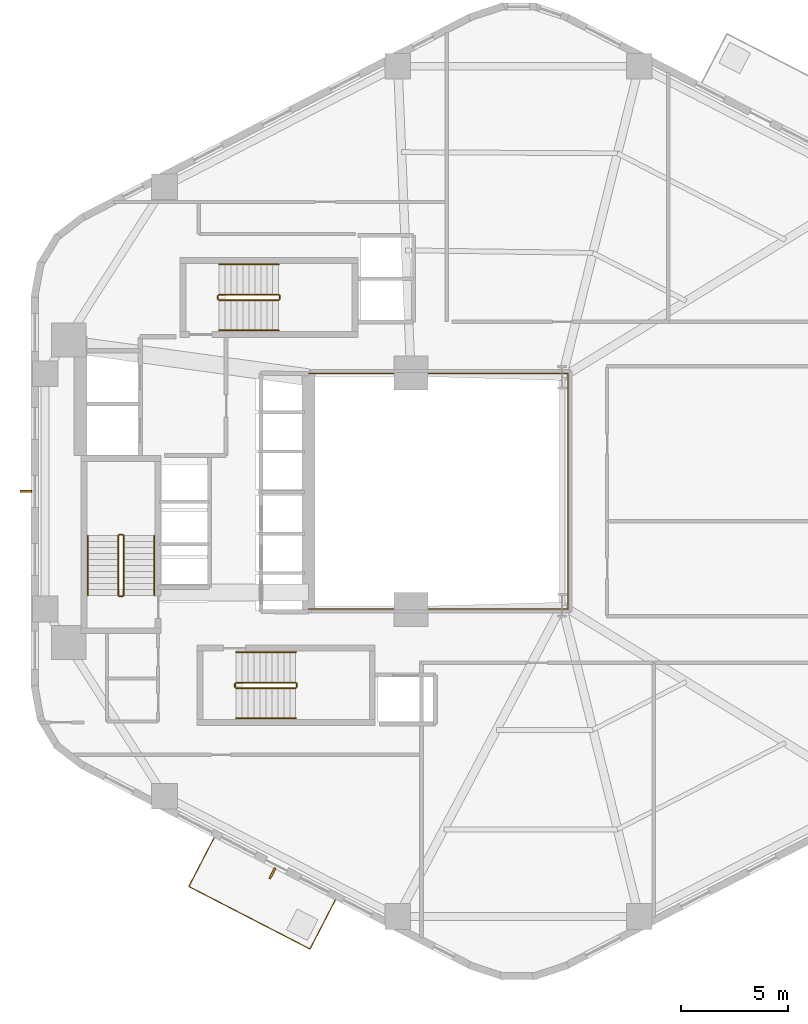
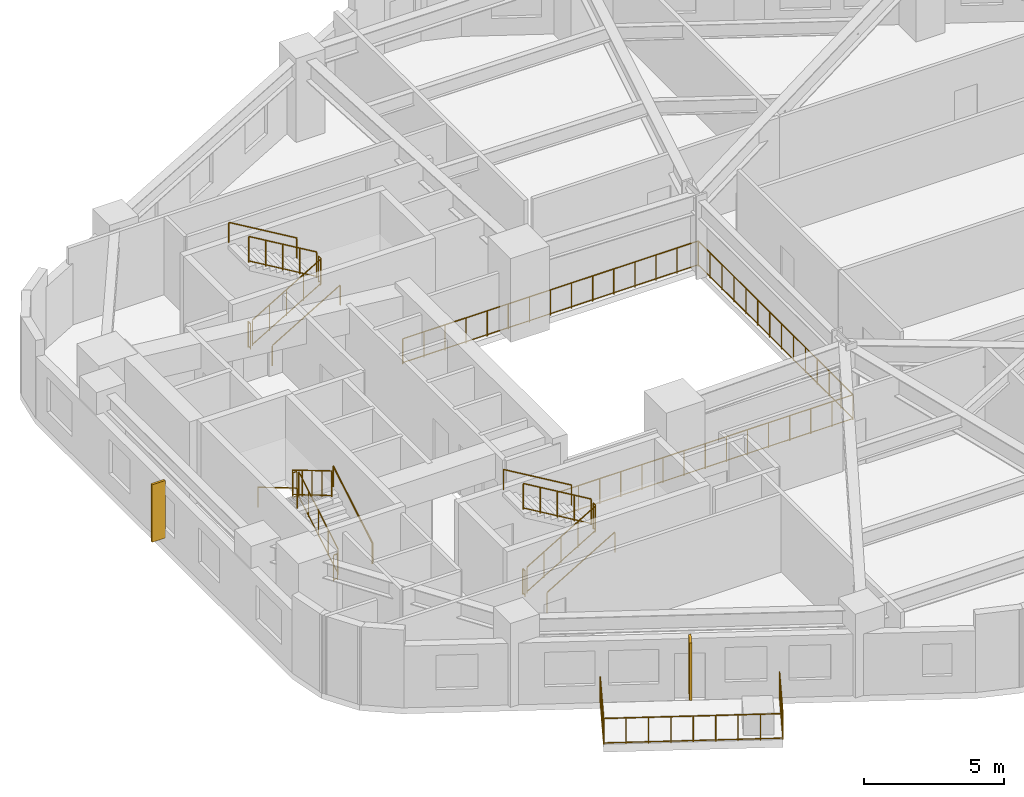
# One storey, part 6 of 7: 20 railings, 2 shading devices.
"""IFC4 building model written with IfcOpenShell, lengths in metres."""

from ifc_helpers import new_model, si_unit, direction, frame, origin, origin_2d, place, context, subcontext, project, spatial, rectangle, circle, extrude, material, type_object, element, save


model = new_model("IFC4")

# Units and contexts
model_context = context("Model", 3, precision=1e-05, world=origin(), true_north=direction((0.0, 1.0)))
body_context = subcontext(model_context, "Body", "Model", "MODEL_VIEW")
ifc_project = project(units=[si_unit("LENGTHUNIT", "METRE"), si_unit("AREAUNIT", "SQUARE_METRE"), si_unit("VOLUMEUNIT", "CUBIC_METRE"), si_unit("PLANEANGLEUNIT", "RADIAN"), si_unit("MASSUNIT", "GRAM", prefix="KILO"), si_unit("THERMODYNAMICTEMPERATUREUNIT", "KELVIN"), si_unit("POWERUNIT", "WATT")], contexts=[model_context])

# Site, building, storey
site_placement = place(None, origin())
site = spatial("IfcSite", under=ifc_project, at=site_placement, CompositionType="ELEMENT")
building_placement = place(site_placement, origin())
building = spatial("IfcBuilding", under=site, at=building_placement, Name="Skarre Station Tower", CompositionType="ELEMENT")
storey_placement = place(building_placement, frame((0.0, 0.0, 37.949951171875)))
storey = spatial("IfcBuildingStorey", under=building, at=storey_placement, Name="L09", CompositionType="ELEMENT", Elevation=37.949951171875)

# Railings
ifc_material_1 = material(Name="Bronze Anodized Steel & Laminated Glass Balustrade", Category="steel")
railing_type_1 = type_object("IfcRailingType", Name="Atrium Void & Mezzanine Guard Balustrade 1120", PredefinedType="GUARDRAIL", material=ifc_material_1)
railing_1_placement = place(storey_placement, frame((27.550048828125, 18.47998046875, 0.0)))
element("IfcRailing", 1, at=railing_1_placement, inside=storey, type_object=railing_type_1, Name="L09 Atrium Void Guard Balustrade", PredefinedType="GUARDRAIL", context=body_context, shape_type="SweptSolid", body=[
    extrude(circle(Radius=0.02392578125, at=origin_2d()), frame((0.0, 0.0, 1.09619140625), z_axis=(1.0, 0.0, 0.0), x_axis=(0.0, 1.0, 0.0)), (0.0, 0.0, 1.0), 12.169921875),
    extrude(circle(Radius=0.02099609375, at=origin_2d()), frame((0.0, 0.0, 0.06005859375), z_axis=(1.0, 0.0, 0.0), x_axis=(0.0, 1.0, 0.0)), (0.0, 0.0, 1.0), 12.169921875),
    extrude(circle(Radius=0.02392578125, at=origin_2d()), frame((12.169921875, 0.0, 1.09619140625), z_axis=(0.0, 1.0, 0.0), x_axis=(-1.0, 0.0, 0.0)), (0.0, 0.0, 1.0), 11.0400390625),
    extrude(circle(Radius=0.02099609375, at=origin_2d()), frame((12.169921875, 0.0, 0.06005859375), z_axis=(0.0, 1.0, 0.0), x_axis=(-1.0, 0.0, 0.0)), (0.0, 0.0, 1.0), 11.0400390625),
    extrude(circle(Radius=0.02392578125, at=origin_2d()), frame((12.169921875, 11.0400390625, 1.09619140625), z_axis=(-1.0, 0.0, 0.0), x_axis=(0.0, -1.0, 0.0)), (0.0, 0.0, 1.0), 12.169921875),
    extrude(circle(Radius=0.02099609375, at=origin_2d()), frame((12.169921875, 11.0400390625, 0.06005859375), z_axis=(-1.0, 0.0, 0.0), x_axis=(0.0, -1.0, 0.0)), (0.0, 0.0, 1.0), 12.169921875),
    extrude(circle(Radius=0.02099609375, at=origin_2d()), origin(), (0.0, 0.0, 1.0), 1.072021484375),
    extrude(circle(Radius=0.02099609375, at=origin_2d()), frame((0.869384765625, 0.0, 0.0)), (0.0, 0.0, 1.0), 1.072021484375),
    extrude(circle(Radius=0.02099609375, at=origin_2d()), frame((1.738525390625, 0.0, 0.0)), (0.0, 0.0, 1.0), 1.072021484375),
    extrude(circle(Radius=0.02099609375, at=origin_2d()), frame((2.60791015625, 0.0, 0.0)), (0.0, 0.0, 1.0), 1.072021484375),
    extrude(circle(Radius=0.02099609375, at=origin_2d()), frame((3.47705078125, 0.0, 0.0)), (0.0, 0.0, 1.0), 1.072021484375),
    extrude(circle(Radius=0.02099609375, at=origin_2d()), frame((4.346435546875, 0.0, 0.0)), (0.0, 0.0, 1.0), 1.072021484375),
    extrude(circle(Radius=0.02099609375, at=origin_2d()), frame((5.215576171875, 0.0, 0.0)), (0.0, 0.0, 1.0), 1.072021484375),
    extrude(circle(Radius=0.02099609375, at=origin_2d()), frame((6.0849609375, 0.0, 0.0)), (0.0, 0.0, 1.0), 1.072021484375),
    extrude(circle(Radius=0.02099609375, at=origin_2d()), frame((6.954345703125, 0.0, 0.0)), (0.0, 0.0, 1.0), 1.072021484375),
    extrude(circle(Radius=0.02099609375, at=origin_2d()), frame((7.823486328125, 0.0, 0.0)), (0.0, 0.0, 1.0), 1.072021484375),
    extrude(circle(Radius=0.02099609375, at=origin_2d()), frame((8.69287109375, 0.0, 0.0)), (0.0, 0.0, 1.0), 1.072021484375),
    extrude(circle(Radius=0.02099609375, at=origin_2d()), frame((9.56201171875, 0.0, 0.0)), (0.0, 0.0, 1.0), 1.072021484375),
    extrude(circle(Radius=0.02099609375, at=origin_2d()), frame((10.431396484375, 0.0, 0.0)), (0.0, 0.0, 1.0), 1.072021484375),
    extrude(circle(Radius=0.02099609375, at=origin_2d()), frame((11.300537109375, 0.0, 0.0)), (0.0, 0.0, 1.0), 1.072021484375),
    extrude(circle(Radius=0.02099609375, at=origin_2d()), frame((12.169921875, 0.0, 0.0)), (0.0, 0.0, 1.0), 1.072021484375),
    extrude(circle(Radius=0.02099609375, at=origin_2d()), frame((12.169921875, 0.84912109375, 0.0)), (0.0, 0.0, 1.0), 1.072021484375),
    extrude(circle(Radius=0.02099609375, at=origin_2d()), frame((12.169921875, 1.698486328125, 0.0)), (0.0, 0.0, 1.0), 1.072021484375),
    extrude(circle(Radius=0.02099609375, at=origin_2d()), frame((12.169921875, 2.547607421875, 0.0)), (0.0, 0.0, 1.0), 1.072021484375),
    extrude(circle(Radius=0.02099609375, at=origin_2d()), frame((12.169921875, 3.39697265625, 0.0)), (0.0, 0.0, 1.0), 1.072021484375),
    extrude(circle(Radius=0.02099609375, at=origin_2d()), frame((12.169921875, 4.24609375, 0.0)), (0.0, 0.0, 1.0), 1.072021484375),
    extrude(circle(Radius=0.02099609375, at=origin_2d()), frame((12.169921875, 5.095458984375, 0.0)), (0.0, 0.0, 1.0), 1.072021484375),
    extrude(circle(Radius=0.02099609375, at=origin_2d()), frame((12.169921875, 5.944580078125, 0.0)), (0.0, 0.0, 1.0), 1.072021484375),
    extrude(circle(Radius=0.02099609375, at=origin_2d()), frame((12.169921875, 6.7939453125, 0.0)), (0.0, 0.0, 1.0), 1.072021484375),
    extrude(circle(Radius=0.02099609375, at=origin_2d()), frame((12.169921875, 7.64306640625, 0.0)), (0.0, 0.0, 1.0), 1.072021484375),
    extrude(circle(Radius=0.02099609375, at=origin_2d()), frame((12.169921875, 8.492431640625, 0.0)), (0.0, 0.0, 1.0), 1.072021484375),
    extrude(circle(Radius=0.02099609375, at=origin_2d()), frame((12.169921875, 9.341552734375, 0.0)), (0.0, 0.0, 1.0), 1.072021484375),
    extrude(circle(Radius=0.02099609375, at=origin_2d()), frame((12.169921875, 10.19091796875, 0.0)), (0.0, 0.0, 1.0), 1.072021484375),
    extrude(circle(Radius=0.02099609375, at=origin_2d()), frame((12.169921875, 11.0400390625, 0.0)), (0.0, 0.0, 1.0), 1.072021484375),
    extrude(circle(Radius=0.02099609375, at=origin_2d()), frame((11.300537109375, 11.0400390625, 0.0)), (0.0, 0.0, 1.0), 1.072021484375),
    extrude(circle(Radius=0.02099609375, at=origin_2d()), frame((10.431396484375, 11.0400390625, 0.0)), (0.0, 0.0, 1.0), 1.072021484375),
    extrude(circle(Radius=0.02099609375, at=origin_2d()), frame((9.56201171875, 11.0400390625, 0.0)), (0.0, 0.0, 1.0), 1.072021484375),
    extrude(circle(Radius=0.02099609375, at=origin_2d()), frame((8.69287109375, 11.0400390625, 0.0)), (0.0, 0.0, 1.0), 1.072021484375),
    extrude(circle(Radius=0.02099609375, at=origin_2d()), frame((7.823486328125, 11.0400390625, 0.0)), (0.0, 0.0, 1.0), 1.072021484375),
    extrude(circle(Radius=0.02099609375, at=origin_2d()), frame((6.954345703125, 11.0400390625, 0.0)), (0.0, 0.0, 1.0), 1.072021484375),
    extrude(circle(Radius=0.02099609375, at=origin_2d()), frame((6.0849609375, 11.0400390625, 0.0)), (0.0, 0.0, 1.0), 1.072021484375),
    extrude(circle(Radius=0.02099609375, at=origin_2d()), frame((5.215576171875, 11.0400390625, 0.0)), (0.0, 0.0, 1.0), 1.072021484375),
    extrude(circle(Radius=0.02099609375, at=origin_2d()), frame((4.346435546875, 11.0400390625, 0.0)), (0.0, 0.0, 1.0), 1.072021484375),
    extrude(circle(Radius=0.02099609375, at=origin_2d()), frame((3.47705078125, 11.0400390625, 0.0)), (0.0, 0.0, 1.0), 1.072021484375),
    extrude(circle(Radius=0.02099609375, at=origin_2d()), frame((2.60791015625, 11.0400390625, 0.0)), (0.0, 0.0, 1.0), 1.072021484375),
    extrude(circle(Radius=0.02099609375, at=origin_2d()), frame((1.738525390625, 11.0400390625, 0.0)), (0.0, 0.0, 1.0), 1.072021484375),
    extrude(circle(Radius=0.02099609375, at=origin_2d()), frame((0.869384765625, 11.0400390625, 0.0)), (0.0, 0.0, 1.0), 1.072021484375),
    extrude(circle(Radius=0.02099609375, at=origin_2d()), frame((0.0, 11.0400390625, 0.0)), (0.0, 0.0, 1.0), 1.072021484375),
])
ifc_material_2 = material(Name="Stainless Steel Grade 316L & Laminated Safety Glass", Category="steel")
railing_type_2 = type_object("IfcRailingType", Name="Laminated Glass & Stainless Terrace Guardrail 1150", PredefinedType="BALUSTRADE", material=ifc_material_2)
railing_2_placement = place(storey_placement, frame((23.1201171875, 7.759033203125, 0.0)))
element("IfcRailing", 2, at=railing_2_placement, inside=storey, type_object=railing_type_2, Name="L09 TB-L09-F3 Tree-Balcony Guardrail", PredefinedType="BALUSTRADE", context=body_context, shape_type="SweptSolid", body=[
    extrude(circle(Radius=0.02392578125, at=origin_2d()), frame((0.0, 0.0, 1.1259765625), z_axis=(-0.458674126871, -0.88860454947, 0.0), x_axis=(0.88860454947, -0.458674126871, 0.0)), (0.0, 0.0, 1.0), 2.590576171875),
    extrude(circle(Radius=0.02099609375, at=origin_2d()), frame((0.0, 0.0, 0.06005859375), z_axis=(-0.458674126871, -0.88860454947, 0.0), x_axis=(0.88860454947, -0.458674126871, 0.0)), (0.0, 0.0, 1.0), 2.590576171875),
    extrude(circle(Radius=0.02392578125, at=origin_2d()), frame((-1.188232421875, -2.302001953125, 1.1259765625), z_axis=(0.888671800122, -0.458543816519, 0.0), x_axis=(0.458543816519, 0.888671800122, 0.0)), (0.0, 0.0, 1.0), 6.40087890625),
    extrude(circle(Radius=0.02099609375, at=origin_2d()), frame((-1.188232421875, -2.302001953125, 0.06005859375), z_axis=(0.888671800122, -0.458543816519, 0.0), x_axis=(0.458543816519, 0.888671800122, 0.0)), (0.0, 0.0, 1.0), 6.40087890625),
    extrude(circle(Radius=0.02392578125, at=origin_2d()), frame((4.5, -5.237060546875, 1.1259765625), z_axis=(0.458599707136, 0.888642959019, 0.0), x_axis=(-0.888642959019, 0.458599707136, 0.0)), (0.0, 0.0, 1.0), 2.590576171875),
    extrude(circle(Radius=0.02099609375, at=origin_2d()), frame((4.5, -5.237060546875, 0.06005859375), z_axis=(0.458599707136, 0.888642959019, 0.0), x_axis=(-0.888642959019, 0.458599707136, 0.0)), (0.0, 0.0, 1.0), 2.590576171875),
    extrude(circle(Radius=0.02099609375, at=origin_2d()), origin(), (0.0, 0.0, 1.0), 1.101806640625),
    extrude(circle(Radius=0.02099609375, at=origin_2d()), frame((-0.39599609375, -0.767333984375, 0.0)), (0.0, 0.0, 1.0), 1.101806640625),
    extrude(circle(Radius=0.02099609375, at=origin_2d()), frame((-0.792236328125, -1.53466796875, 0.0)), (0.0, 0.0, 1.0), 1.101806640625),
    extrude(circle(Radius=0.02099609375, at=origin_2d()), frame((-1.188232421875, -2.302001953125, 0.0)), (0.0, 0.0, 1.0), 1.101806640625),
    extrude(circle(Radius=0.02099609375, at=origin_2d()), frame((-0.477294921875, -2.6689453125, 0.0)), (0.0, 0.0, 1.0), 1.101806640625),
    extrude(circle(Radius=0.02099609375, at=origin_2d()), frame((0.23388671875, -3.03564453125, 0.0)), (0.0, 0.0, 1.0), 1.101806640625),
    extrude(circle(Radius=0.02099609375, at=origin_2d()), frame((0.94482421875, -3.402587890625, 0.0)), (0.0, 0.0, 1.0), 1.101806640625),
    extrude(circle(Radius=0.02099609375, at=origin_2d()), frame((1.65576171875, -3.76953125, 0.0)), (0.0, 0.0, 1.0), 1.101806640625),
    extrude(circle(Radius=0.02099609375, at=origin_2d()), frame((2.366943359375, -4.136474609375, 0.0)), (0.0, 0.0, 1.0), 1.101806640625),
    extrude(circle(Radius=0.02099609375, at=origin_2d()), frame((3.077880859375, -4.50341796875, 0.0)), (0.0, 0.0, 1.0), 1.101806640625),
    extrude(circle(Radius=0.02099609375, at=origin_2d()), frame((3.7890625, -4.8701171875, 0.0)), (0.0, 0.0, 1.0), 1.101806640625),
    extrude(circle(Radius=0.02099609375, at=origin_2d()), frame((4.5, -5.237060546875, 0.0)), (0.0, 0.0, 1.0), 1.101806640625),
    extrude(circle(Radius=0.02099609375, at=origin_2d()), frame((4.89599609375, -4.4697265625, 0.0)), (0.0, 0.0, 1.0), 1.101806640625),
    extrude(circle(Radius=0.02099609375, at=origin_2d()), frame((5.2919921875, -3.702392578125, 0.0)), (0.0, 0.0, 1.0), 1.101806640625),
    extrude(circle(Radius=0.02099609375, at=origin_2d()), frame((5.68798828125, -2.93505859375, 0.0)), (0.0, 0.0, 1.0), 1.101806640625),
])

# Shading devices
ifc_material_3 = material(Name="Bronze Anodized Extruded Aluminium 6063-T6", Category="aluminium")
shading_device_type = type_object("IfcShadingDeviceType", Name="Nordic Bronze Vertical Solar Fin 550x90", PredefinedType="SHUTTER", material=ifc_material_3)
for number, where, z_axis, x_axis, name in (
    (3, (14.287109375, 24.0, 0.35009765625), (0.0, 0.0, 1.0), (-1.0, 0.0, 0.0), "L09 Facet 2 Bronze Solar Fin"),
    (4, (25.85400390625, 6.077880859375, 0.35009765625), (0.0, 0.0, 1.0), (-0.458618535612, -0.888633242003, 0.0), "L09 Facet 3 Bronze Solar Fin"),
):
    element("IfcShadingDevice", number, at=place(storey_placement, frame(where, z_axis=z_axis, x_axis=x_axis)), inside=storey, type_object=shading_device_type, Name=name, PredefinedType="SHUTTER", context=body_context, shape_type="SweptSolid", body=[
        extrude(rectangle(XDim=0.550048828125, YDim=0.090087890625, at=origin_2d()), origin(), (0.0, 0.0, 1.0), 2.5),
    ])

# Railings
ifc_material_4 = material(Name="Powder-Coated Tubular Steel", Category="steel")
railing_type_3 = type_object("IfcRailingType", Name="Painted Steel Ramp & Stair Handrail 920", PredefinedType="HANDRAIL", material=ifc_material_4)
railing_3_placement = place(storey_placement, frame((20.300048828125, 19.1201171875, 0.166015625)))
element("IfcRailing", 5, at=railing_3_placement, inside=storey, type_object=railing_type_3, Name="L09 ST-1 stair handrail 1", PredefinedType="HANDRAIL", context=body_context, shape_type="SweptSolid", body=[
    extrude(circle(Radius=0.02392578125, at=origin_2d()), frame((0.0, 0.0, 0.8759765625), z_axis=(0.0, 0.860319559791, 0.509755093197), x_axis=(-1.0, 0.0, 0.0)), (0.0, 0.0, 1.0), 3.25439453125),
    extrude(circle(Radius=0.02099609375, at=origin_2d()), origin(), (0.0, 0.0, 1.0), 0.851806640625),
    extrude(circle(Radius=0.02099609375, at=origin_2d()), frame((0.0, 2.7998046875, 1.658935546875)), (0.0, 0.0, 1.0), 0.851806640625),
])
railing_4_placement = place(storey_placement, frame((17.199951171875, 21.919921875, 1.990966796875)))
element("IfcRailing", 6, at=railing_4_placement, inside=storey, type_object=railing_type_3, Name="L09 ST-1 stair handrail 2", PredefinedType="HANDRAIL", context=body_context, shape_type="SweptSolid", body=[
    extrude(circle(Radius=0.02392578125, at=origin_2d()), frame((0.0, 0.0, 0.8759765625), z_axis=(0.0, -0.860286659441, 0.509810615413), x_axis=(1.0, 0.0, 0.0)), (0.0, 0.0, 1.0), 3.25439453125),
    extrude(circle(Radius=0.02099609375, at=origin_2d()), origin(), (0.0, 0.0, 1.0), 0.851806640625),
    extrude(circle(Radius=0.02099609375, at=origin_2d()), frame((0.0, -2.7998046875, 1.6591796875)), (0.0, 0.0, 1.0), 0.851806640625),
])
railing_5_placement = place(storey_placement, frame((24.14990234375, 13.35009765625, 0.166015625)))
element("IfcRailing", 7, at=railing_5_placement, inside=storey, type_object=railing_type_3, Name="L09 ST-2 stair handrail 1", PredefinedType="HANDRAIL", context=body_context, shape_type="SweptSolid", body=[
    extrude(circle(Radius=0.02392578125, at=origin_2d()), frame((0.0, 0.0, 0.8759765625), z_axis=(0.860339051648, 0.0, 0.50972219513), x_axis=(0.0, 1.0, 0.0)), (0.0, 0.0, 1.0), 3.254638671875),
    extrude(circle(Radius=0.02099609375, at=origin_2d()), origin(), (0.0, 0.0, 1.0), 0.851806640625),
    extrude(circle(Radius=0.02099609375, at=origin_2d()), frame((2.800048828125, 0.0, 1.658935546875)), (0.0, 0.0, 1.0), 0.851806640625),
])
railing_6_placement = place(storey_placement, frame((26.949951171875, 16.449951171875, 1.990966796875)))
element("IfcRailing", 8, at=railing_6_placement, inside=storey, type_object=railing_type_3, Name="L09 ST-2 stair handrail 2", PredefinedType="HANDRAIL", context=body_context, shape_type="SweptSolid", body=[
    extrude(circle(Radius=0.02392578125, at=origin_2d()), frame((0.0, 0.0, 0.8759765625), z_axis=(-0.860306154799, 0.0, 0.50977771628), x_axis=(0.0, -1.0, 0.0)), (0.0, 0.0, 1.0), 3.254638671875),
    extrude(circle(Radius=0.02099609375, at=origin_2d()), origin(), (0.0, 0.0, 1.0), 0.851806640625),
    extrude(circle(Radius=0.02099609375, at=origin_2d()), frame((-2.800048828125, 0.0, 1.6591796875)), (0.0, 0.0, 1.0), 0.851806640625),
])
railing_7_placement = place(storey_placement, frame((23.35009765625, 31.550048828125, 0.166015625)))
element("IfcRailing", 9, at=railing_7_placement, inside=storey, type_object=railing_type_3, Name="L09 ST-3 stair handrail 1", PredefinedType="HANDRAIL", context=body_context, shape_type="SweptSolid", body=[
    extrude(circle(Radius=0.02392578125, at=origin_2d()), frame((0.0, 0.0, 0.8759765625), z_axis=(0.860319559791, 0.0, 0.509755093197), x_axis=(0.0, 1.0, 0.0)), (0.0, 0.0, 1.0), 3.25439453125),
    extrude(circle(Radius=0.02099609375, at=origin_2d()), origin(), (0.0, 0.0, 1.0), 0.851806640625),
    extrude(circle(Radius=0.02099609375, at=origin_2d()), frame((2.7998046875, 0.0, 1.658935546875)), (0.0, 0.0, 1.0), 0.851806640625),
])
railing_8_placement = place(storey_placement, frame((26.14990234375, 34.64990234375, 1.990966796875)))
element("IfcRailing", 10, at=railing_8_placement, inside=storey, type_object=railing_type_3, Name="L09 ST-3 stair handrail 2", PredefinedType="HANDRAIL", context=body_context, shape_type="SweptSolid", body=[
    extrude(circle(Radius=0.02392578125, at=origin_2d()), frame((0.0, 0.0, 0.8759765625), z_axis=(-0.860286659441, 0.0, 0.509810615413), x_axis=(0.0, -1.0, 0.0)), (0.0, 0.0, 1.0), 3.25439453125),
    extrude(circle(Radius=0.02099609375, at=origin_2d()), origin(), (0.0, 0.0, 1.0), 0.851806640625),
    extrude(circle(Radius=0.02099609375, at=origin_2d()), frame((-2.7998046875, 0.0, 1.6591796875)), (0.0, 0.0, 1.0), 0.851806640625),
])
railing_type_4 = type_object("IfcRailingType", Name="Painted Steel Stairwell Guardrail 1100", PredefinedType="GUARDRAIL", material=ifc_material_4)
railing_9_placement = place(storey_placement, frame((18.8798828125, 19.1201171875, 0.166015625)))
element("IfcRailing", 11, at=railing_9_placement, inside=storey, type_object=railing_type_4, Name="L09 ST-1 stair guard 1", PredefinedType="GUARDRAIL", context=body_context, shape_type="SweptSolid", body=[
    extrude(circle(Radius=0.02392578125, at=origin_2d()), frame((0.0, 0.0, 1.1259765625), z_axis=(0.0, 0.860319559791, 0.509755093197), x_axis=(-1.0, 0.0, 0.0)), (0.0, 0.0, 1.0), 3.25439453125),
    extrude(circle(Radius=0.02099609375, at=origin_2d()), frame((0.0, 0.0, 0.06005859375), z_axis=(0.0, 0.860319559791, 0.509755093197), x_axis=(-1.0, 0.0, 0.0)), (0.0, 0.0, 1.0), 3.25439453125),
    extrude(circle(Radius=0.02099609375, at=origin_2d()), origin(), (0.0, 0.0, 1.0), 1.101806640625),
    extrude(circle(Radius=0.02099609375, at=origin_2d()), frame((0.0, 0.699951171875, 0.414794921875)), (0.0, 0.0, 1.0), 1.101806640625),
    extrude(circle(Radius=0.02099609375, at=origin_2d()), frame((0.0, 1.39990234375, 0.82958984375)), (0.0, 0.0, 1.0), 1.101806640625),
    extrude(circle(Radius=0.02099609375, at=origin_2d()), frame((0.0, 2.099853515625, 1.244140625)), (0.0, 0.0, 1.0), 1.101806640625),
    extrude(circle(Radius=0.02099609375, at=origin_2d()), frame((0.0, 2.7998046875, 1.658935546875)), (0.0, 0.0, 1.0), 1.101806640625),
])
railing_10_placement = place(storey_placement, frame((18.830078125, 21.969970703125, 1.824951171875)))
element("IfcRailing", 12, at=railing_10_placement, inside=storey, type_object=railing_type_4, Name="L09 ST-1 stair guard 2", PredefinedType="GUARDRAIL", context=body_context, shape_type="SweptSolid", body=[
    extrude(circle(Radius=0.02392578125, at=origin_2d()), frame((0.0, 0.0, 1.1259765625), z_axis=(-1.0, 0.0, 0.0), x_axis=(0.0, -1.0, 0.0)), (0.0, 0.0, 1.0), 0.16015625),
    extrude(circle(Radius=0.02099609375, at=origin_2d()), frame((0.0, 0.0, 0.06005859375), z_axis=(-1.0, 0.0, 0.0), x_axis=(0.0, -1.0, 0.0)), (0.0, 0.0, 1.0), 0.16015625),
    extrude(circle(Radius=0.02099609375, at=origin_2d()), origin(), (0.0, 0.0, 1.0), 1.101806640625),
    extrude(circle(Radius=0.02099609375, at=origin_2d()), frame((-0.16015625, 0.0, 0.0)), (0.0, 0.0, 1.0), 1.101806640625),
])
railing_11_placement = place(storey_placement, frame((18.6201171875, 21.919921875, 1.990966796875)))
element("IfcRailing", 13, at=railing_11_placement, inside=storey, type_object=railing_type_4, Name="L09 ST-1 stair guard 3", PredefinedType="GUARDRAIL", context=body_context, shape_type="SweptSolid", body=[
    extrude(circle(Radius=0.02392578125, at=origin_2d()), frame((0.0, 0.0, 1.1259765625), z_axis=(0.0, -0.860286659441, 0.509810615413), x_axis=(1.0, 0.0, 0.0)), (0.0, 0.0, 1.0), 3.25439453125),
    extrude(circle(Radius=0.02099609375, at=origin_2d()), frame((0.0, 0.0, 0.06005859375), z_axis=(0.0, -0.860286659441, 0.509810615413), x_axis=(1.0, 0.0, 0.0)), (0.0, 0.0, 1.0), 3.25439453125),
    extrude(circle(Radius=0.02099609375, at=origin_2d()), origin(), (0.0, 0.0, 1.0), 1.101806640625),
    extrude(circle(Radius=0.02099609375, at=origin_2d()), frame((0.0, -0.699951171875, 0.414794921875)), (0.0, 0.0, 1.0), 1.101806640625),
    extrude(circle(Radius=0.02099609375, at=origin_2d()), frame((0.0, -1.39990234375, 0.82958984375)), (0.0, 0.0, 1.0), 1.101806640625),
    extrude(circle(Radius=0.02099609375, at=origin_2d()), frame((0.0, -2.099853515625, 1.244384765625)), (0.0, 0.0, 1.0), 1.101806640625),
    extrude(circle(Radius=0.02099609375, at=origin_2d()), frame((0.0, -2.7998046875, 1.6591796875)), (0.0, 0.0, 1.0), 1.101806640625),
])
railing_12_placement = place(storey_placement, frame((18.830078125, 19.070068359375, 0.0)))
element("IfcRailing", 14, at=railing_12_placement, inside=storey, type_object=railing_type_4, Name="L09 ST-1 stair guard 4", PredefinedType="GUARDRAIL", context=body_context, shape_type="SweptSolid", body=[
    extrude(circle(Radius=0.02392578125, at=origin_2d()), frame((0.0, 0.0, 1.1259765625), z_axis=(-1.0, 0.0, 0.0), x_axis=(0.0, -1.0, 0.0)), (0.0, 0.0, 1.0), 0.16015625),
    extrude(circle(Radius=0.02099609375, at=origin_2d()), frame((0.0, 0.0, 0.06005859375), z_axis=(-1.0, 0.0, 0.0), x_axis=(0.0, -1.0, 0.0)), (0.0, 0.0, 1.0), 0.16015625),
    extrude(circle(Radius=0.02099609375, at=origin_2d()), origin(), (0.0, 0.0, 1.0), 1.101806640625),
    extrude(circle(Radius=0.02099609375, at=origin_2d()), frame((-0.16015625, 0.0, 0.0)), (0.0, 0.0, 1.0), 1.101806640625),
])
railing_13_placement = place(storey_placement, frame((24.14990234375, 14.77001953125, 0.166015625)))
element("IfcRailing", 15, at=railing_13_placement, inside=storey, type_object=railing_type_4, Name="L09 ST-2 stair guard 1", PredefinedType="GUARDRAIL", context=body_context, shape_type="SweptSolid", body=[
    extrude(circle(Radius=0.02392578125, at=origin_2d()), frame((0.0, 0.0, 1.1259765625), z_axis=(0.860339051648, 0.0, 0.50972219513), x_axis=(0.0, 1.0, 0.0)), (0.0, 0.0, 1.0), 3.254638671875),
    extrude(circle(Radius=0.02099609375, at=origin_2d()), frame((0.0, 0.0, 0.06005859375), z_axis=(0.860339051648, 0.0, 0.50972219513), x_axis=(0.0, 1.0, 0.0)), (0.0, 0.0, 1.0), 3.254638671875),
    extrude(circle(Radius=0.02099609375, at=origin_2d()), origin(), (0.0, 0.0, 1.0), 1.101806640625),
    extrude(circle(Radius=0.02099609375, at=origin_2d()), frame((0.699951171875, 0.0, 0.414794921875)), (0.0, 0.0, 1.0), 1.101806640625),
    extrude(circle(Radius=0.02099609375, at=origin_2d()), frame((1.39990234375, 0.0, 0.82958984375)), (0.0, 0.0, 1.0), 1.101806640625),
    extrude(circle(Radius=0.02099609375, at=origin_2d()), frame((2.10009765625, 0.0, 1.244140625)), (0.0, 0.0, 1.0), 1.101806640625),
    extrude(circle(Radius=0.02099609375, at=origin_2d()), frame((2.800048828125, 0.0, 1.658935546875)), (0.0, 0.0, 1.0), 1.101806640625),
])
railing_14_placement = place(storey_placement, frame((27.0, 14.820068359375, 1.824951171875)))
element("IfcRailing", 16, at=railing_14_placement, inside=storey, type_object=railing_type_4, Name="L09 ST-2 stair guard 2", PredefinedType="GUARDRAIL", context=body_context, shape_type="SweptSolid", body=[
    extrude(circle(Radius=0.02392578125, at=origin_2d()), frame((0.0, 0.0, 1.1259765625), z_axis=(0.0, 1.0, 0.0), x_axis=(-1.0, 0.0, 0.0)), (0.0, 0.0, 1.0), 0.159912109375),
    extrude(circle(Radius=0.02099609375, at=origin_2d()), frame((0.0, 0.0, 0.06005859375), z_axis=(0.0, 1.0, 0.0), x_axis=(-1.0, 0.0, 0.0)), (0.0, 0.0, 1.0), 0.159912109375),
    extrude(circle(Radius=0.02099609375, at=origin_2d()), origin(), (0.0, 0.0, 1.0), 1.101806640625),
    extrude(circle(Radius=0.02099609375, at=origin_2d()), frame((0.0, 0.159912109375, 0.0)), (0.0, 0.0, 1.0), 1.101806640625),
])
railing_15_placement = place(storey_placement, frame((26.949951171875, 15.030029296875, 1.990966796875)))
element("IfcRailing", 17, at=railing_15_placement, inside=storey, type_object=railing_type_4, Name="L09 ST-2 stair guard 3", PredefinedType="GUARDRAIL", context=body_context, shape_type="SweptSolid", body=[
    extrude(circle(Radius=0.02392578125, at=origin_2d()), frame((0.0, 0.0, 1.1259765625), z_axis=(-0.860306154799, 0.0, 0.50977771628), x_axis=(0.0, -1.0, 0.0)), (0.0, 0.0, 1.0), 3.254638671875),
    extrude(circle(Radius=0.02099609375, at=origin_2d()), frame((0.0, 0.0, 0.06005859375), z_axis=(-0.860306154799, 0.0, 0.50977771628), x_axis=(0.0, -1.0, 0.0)), (0.0, 0.0, 1.0), 3.254638671875),
    extrude(circle(Radius=0.02099609375, at=origin_2d()), origin(), (0.0, 0.0, 1.0), 1.101806640625),
    extrude(circle(Radius=0.02099609375, at=origin_2d()), frame((-0.699951171875, 0.0, 0.414794921875)), (0.0, 0.0, 1.0), 1.101806640625),
    extrude(circle(Radius=0.02099609375, at=origin_2d()), frame((-1.39990234375, 0.0, 0.82958984375)), (0.0, 0.0, 1.0), 1.101806640625),
    extrude(circle(Radius=0.02099609375, at=origin_2d()), frame((-2.10009765625, 0.0, 1.244384765625)), (0.0, 0.0, 1.0), 1.101806640625),
    extrude(circle(Radius=0.02099609375, at=origin_2d()), frame((-2.800048828125, 0.0, 1.6591796875)), (0.0, 0.0, 1.0), 1.101806640625),
])
railing_16_placement = place(storey_placement, frame((24.10009765625, 14.820068359375, 0.0)))
element("IfcRailing", 18, at=railing_16_placement, inside=storey, type_object=railing_type_4, Name="L09 ST-2 stair guard 4", PredefinedType="GUARDRAIL", context=body_context, shape_type="SweptSolid", body=[
    extrude(circle(Radius=0.02392578125, at=origin_2d()), frame((0.0, 0.0, 1.1259765625), z_axis=(0.0, 1.0, 0.0), x_axis=(-1.0, 0.0, 0.0)), (0.0, 0.0, 1.0), 0.159912109375),
    extrude(circle(Radius=0.02099609375, at=origin_2d()), frame((0.0, 0.0, 0.06005859375), z_axis=(0.0, 1.0, 0.0), x_axis=(-1.0, 0.0, 0.0)), (0.0, 0.0, 1.0), 0.159912109375),
    extrude(circle(Radius=0.02099609375, at=origin_2d()), origin(), (0.0, 0.0, 1.0), 1.101806640625),
    extrude(circle(Radius=0.02099609375, at=origin_2d()), frame((0.0, 0.159912109375, 0.0)), (0.0, 0.0, 1.0), 1.101806640625),
])
railing_17_placement = place(storey_placement, frame((23.35009765625, 32.969970703125, 0.166015625)))
element("IfcRailing", 19, at=railing_17_placement, inside=storey, type_object=railing_type_4, Name="L09 ST-3 stair guard 1", PredefinedType="GUARDRAIL", context=body_context, shape_type="SweptSolid", body=[
    extrude(circle(Radius=0.02392578125, at=origin_2d()), frame((0.0, 0.0, 1.1259765625), z_axis=(0.860319559791, 0.0, 0.509755093197), x_axis=(0.0, 1.0, 0.0)), (0.0, 0.0, 1.0), 3.25439453125),
    extrude(circle(Radius=0.02099609375, at=origin_2d()), frame((0.0, 0.0, 0.06005859375), z_axis=(0.860319559791, 0.0, 0.509755093197), x_axis=(0.0, 1.0, 0.0)), (0.0, 0.0, 1.0), 3.25439453125),
    extrude(circle(Radius=0.02099609375, at=origin_2d()), origin(), (0.0, 0.0, 1.0), 1.101806640625),
    extrude(circle(Radius=0.02099609375, at=origin_2d()), frame((0.699951171875, 0.0, 0.414794921875)), (0.0, 0.0, 1.0), 1.101806640625),
    extrude(circle(Radius=0.02099609375, at=origin_2d()), frame((1.39990234375, 0.0, 0.82958984375)), (0.0, 0.0, 1.0), 1.101806640625),
    extrude(circle(Radius=0.02099609375, at=origin_2d()), frame((2.099853515625, 0.0, 1.244140625)), (0.0, 0.0, 1.0), 1.101806640625),
    extrude(circle(Radius=0.02099609375, at=origin_2d()), frame((2.7998046875, 0.0, 1.658935546875)), (0.0, 0.0, 1.0), 1.101806640625),
])
railing_18_placement = place(storey_placement, frame((26.199951171875, 33.02001953125, 1.824951171875)))
element("IfcRailing", 20, at=railing_18_placement, inside=storey, type_object=railing_type_4, Name="L09 ST-3 stair guard 2", PredefinedType="GUARDRAIL", context=body_context, shape_type="SweptSolid", body=[
    extrude(circle(Radius=0.02392578125, at=origin_2d()), frame((0.0, 0.0, 1.1259765625), z_axis=(0.0, 1.0, 0.0), x_axis=(-1.0, 0.0, 0.0)), (0.0, 0.0, 1.0), 0.159912109375),
    extrude(circle(Radius=0.02099609375, at=origin_2d()), frame((0.0, 0.0, 0.06005859375), z_axis=(0.0, 1.0, 0.0), x_axis=(-1.0, 0.0, 0.0)), (0.0, 0.0, 1.0), 0.159912109375),
    extrude(circle(Radius=0.02099609375, at=origin_2d()), origin(), (0.0, 0.0, 1.0), 1.101806640625),
    extrude(circle(Radius=0.02099609375, at=origin_2d()), frame((0.0, 0.159912109375, 0.0)), (0.0, 0.0, 1.0), 1.101806640625),
])
railing_19_placement = place(storey_placement, frame((26.14990234375, 33.22998046875, 1.990966796875)))
element("IfcRailing", 21, at=railing_19_placement, inside=storey, type_object=railing_type_4, Name="L09 ST-3 stair guard 3", PredefinedType="GUARDRAIL", context=body_context, shape_type="SweptSolid", body=[
    extrude(circle(Radius=0.02392578125, at=origin_2d()), frame((0.0, 0.0, 1.1259765625), z_axis=(-0.860286659441, 0.0, 0.509810615413), x_axis=(0.0, -1.0, 0.0)), (0.0, 0.0, 1.0), 3.25439453125),
    extrude(circle(Radius=0.02099609375, at=origin_2d()), frame((0.0, 0.0, 0.06005859375), z_axis=(-0.860286659441, 0.0, 0.509810615413), x_axis=(0.0, -1.0, 0.0)), (0.0, 0.0, 1.0), 3.25439453125),
    extrude(circle(Radius=0.02099609375, at=origin_2d()), origin(), (0.0, 0.0, 1.0), 1.101806640625),
    extrude(circle(Radius=0.02099609375, at=origin_2d()), frame((-0.699951171875, 0.0, 0.414794921875)), (0.0, 0.0, 1.0), 1.101806640625),
    extrude(circle(Radius=0.02099609375, at=origin_2d()), frame((-1.39990234375, 0.0, 0.82958984375)), (0.0, 0.0, 1.0), 1.101806640625),
    extrude(circle(Radius=0.02099609375, at=origin_2d()), frame((-2.099853515625, 0.0, 1.244384765625)), (0.0, 0.0, 1.0), 1.101806640625),
    extrude(circle(Radius=0.02099609375, at=origin_2d()), frame((-2.7998046875, 0.0, 1.6591796875)), (0.0, 0.0, 1.0), 1.101806640625),
])
railing_20_placement = place(storey_placement, frame((23.300048828125, 33.02001953125, 0.0)))
element("IfcRailing", 22, at=railing_20_placement, inside=storey, type_object=railing_type_4, Name="L09 ST-3 stair guard 4", PredefinedType="GUARDRAIL", context=body_context, shape_type="SweptSolid", body=[
    extrude(circle(Radius=0.02392578125, at=origin_2d()), frame((0.0, 0.0, 1.1259765625), z_axis=(0.0, 1.0, 0.0), x_axis=(-1.0, 0.0, 0.0)), (0.0, 0.0, 1.0), 0.159912109375),
    extrude(circle(Radius=0.02099609375, at=origin_2d()), frame((0.0, 0.0, 0.06005859375), z_axis=(0.0, 1.0, 0.0), x_axis=(-1.0, 0.0, 0.0)), (0.0, 0.0, 1.0), 0.159912109375),
    extrude(circle(Radius=0.02099609375, at=origin_2d()), origin(), (0.0, 0.0, 1.0), 1.101806640625),
    extrude(circle(Radius=0.02099609375, at=origin_2d()), frame((0.0, 0.159912109375, 0.0)), (0.0, 0.0, 1.0), 1.101806640625),
])

save(model, "model.ifc")
